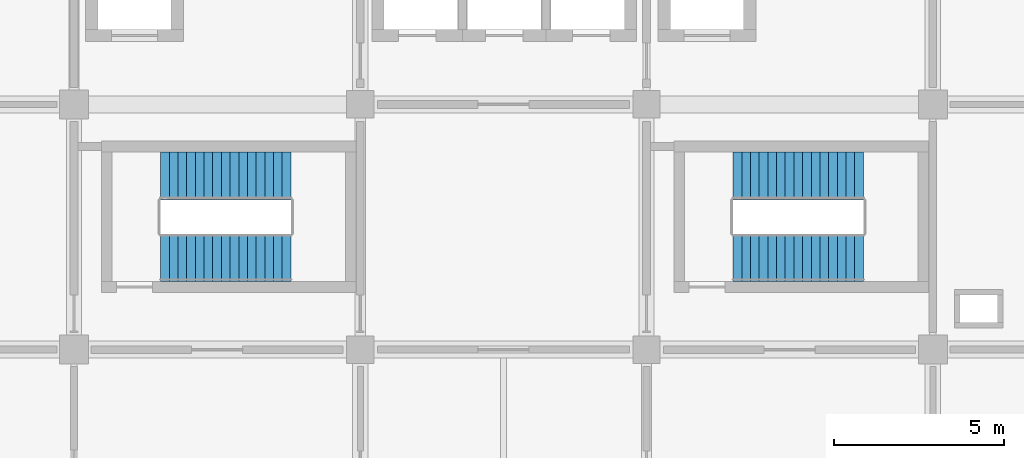
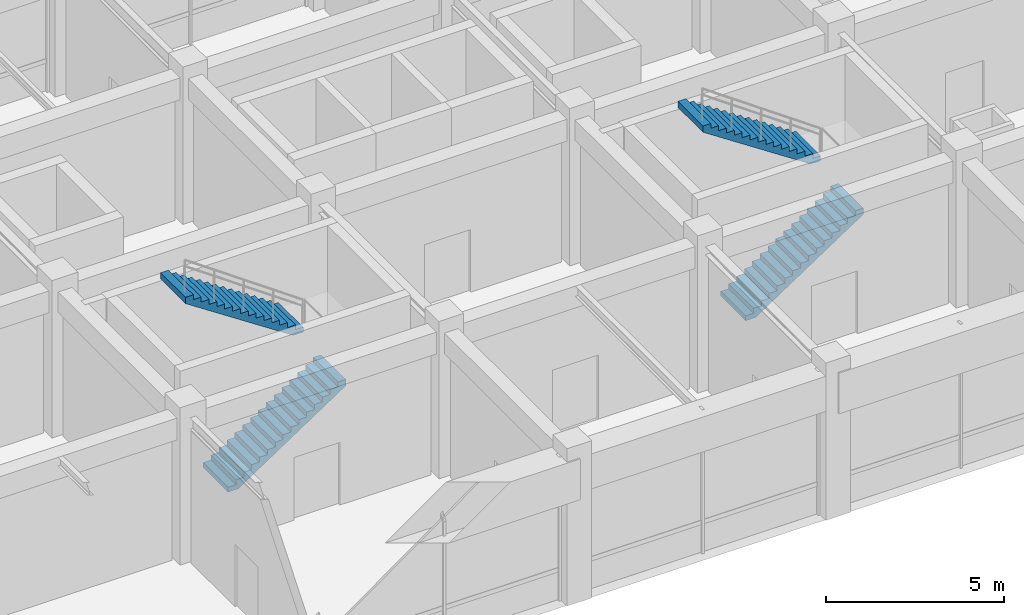
# One storey, part 32 of 38: 4 stair flights, 2 elements without a shape of their own.
"""IFC4 building model written with IfcOpenShell, lengths in metres."""

from ifc_helpers import new_model, si_unit, derived_unit, direction, frame, origin, place, context, subcontext, project, spatial, polyline, outline, extrude, material, type_object, element, aggregate, save


model = new_model("IFC4")

# Units and contexts
model_context = context("Model", 3, precision=1e-05, world=origin(), true_north=direction((0.0, 1.0)))
body_context = subcontext(model_context, "Body", "Model", "MODEL_VIEW")
ifc_project = project(units=[si_unit("LENGTHUNIT", "METRE"), si_unit("AREAUNIT", "SQUARE_METRE"), si_unit("VOLUMEUNIT", "CUBIC_METRE"), si_unit("PLANEANGLEUNIT", "RADIAN"), si_unit("MASSUNIT", "GRAM", prefix="KILO"), derived_unit("THERMALTRANSMITTANCEUNIT", [(si_unit("MASSUNIT", "GRAM", prefix="KILO"), 1), (si_unit("TIMEUNIT", "SECOND"), -3), (si_unit("THERMODYNAMICTEMPERATUREUNIT", "KELVIN"), -1)])], contexts=[model_context])

# Site, building, storey
site_placement = place(None, origin())
site = spatial("IfcSite", under=ifc_project, at=site_placement, CompositionType="ELEMENT")
building_placement = place(site_placement, origin())
building = spatial("IfcBuilding", under=site, at=building_placement, Name="Veldstrom Oceanarium and Marine Research Institute", CompositionType="ELEMENT")
storey_placement = place(building_placement, frame((0.0, 0.0, 16.800048828125)))
storey = spatial("IfcBuildingStorey", under=building, at=storey_placement, Name="L03", CompositionType="ELEMENT", Elevation=16.800048828125)

# Stair, stair flights
ifc_material_1 = material(Name="Concrete C40/50", Category="concrete")
stair_type = type_object("IfcStairType", Name="ARC-STR-ST-540", PredefinedType="TWO_STRAIGHT_RUN_STAIR", material=ifc_material_1)
stair_1_placement = place(storey_placement, origin())
stair_1 = element("IfcStair", 1, at=stair_1_placement, inside=storey, type_object=stair_type, Name="Dog-Leg Escape Stair ST1-L03", PredefinedType="TWO_STRAIGHT_RUN_STAIR")
ifc_material_2 = material(Name="Concrete C40/50", Category="concrete")
stair_flight_type = type_object("IfcStairFlightType", Name="ARC-STF-ST-540", PredefinedType="STRAIGHT", material=ifc_material_2)
stair_flight_1_placement = place(storey_placement, frame((78.139892578125, 53.10009765625, 0.0), z_axis=(0.0, 0.0, 1.0), x_axis=(1.0, 0.0, 0.0)))
stair_flight_1 = element("IfcStairFlight", 2, at=stair_flight_1_placement, type_object=stair_flight_type, Name="Stair Flight ST1-L03-1", NumberOfRisers=16, NumberOfTreads=15, PredefinedType="STRAIGHT", RiserHeight=0.16875, TreadLength=0.255, context=body_context, shape_type="SweptSolid", body=[
    extrude(outline(polyline([(0.0, 0.0), (0.0, 0.168701171875), (0.2548828125, 0.168701171875), (0.2548828125, 0.33740234375), (0.510009765625, 0.33740234375), (0.510009765625, 0.50634765625), (0.764892578125, 0.50634765625), (0.764892578125, 0.675048828125), (1.02001953125, 0.675048828125), (1.02001953125, 0.84375), (1.27490234375, 0.84375), (1.27490234375, 1.012451171875), (1.530029296875, 1.012451171875), (1.530029296875, 1.18115234375), (1.784912109375, 1.18115234375), (1.784912109375, 1.35009765625), (2.0400390625, 1.35009765625), (2.0400390625, 1.518798828125), (2.294921875, 1.518798828125), (2.294921875, 1.6875), (2.550048828125, 1.6875), (2.550048828125, 1.856201171875), (2.804931640625, 1.856201171875), (2.804931640625, 2.02490234375), (3.06005859375, 2.02490234375), (3.06005859375, 2.19384765625), (3.31494140625, 2.19384765625), (3.31494140625, 2.362548828125), (3.570068359375, 2.362548828125), (3.570068359375, 2.53125), (3.824951171875, 2.53125), (3.824951171875, 2.699951171875), (3.824951171875, 2.3154296875), (0.325927734375, 0.0), (0.0, 0.0)])), frame((0.0, 0.699951171875, 0.0), z_axis=(0.0, -1.0, 0.0), x_axis=(1.0, 0.0, 0.0)), (0.0, 0.0, 1.0), 1.39990234375),
])
stair_flight_2_placement = place(storey_placement, frame((81.965087890625, 55.5, 2.699951171875), z_axis=(0.0, 0.0, 1.0), x_axis=(-1.0, 0.0, 0.0)))
stair_flight_2 = element("IfcStairFlight", 3, at=stair_flight_2_placement, type_object=stair_flight_type, Name="Stair Flight ST1-L03-2", NumberOfRisers=16, NumberOfTreads=15, PredefinedType="STRAIGHT", RiserHeight=0.16875, TreadLength=0.255, context=body_context, shape_type="SweptSolid", body=[
    extrude(outline(polyline([(0.0, 0.0), (0.0, 0.168701171875), (0.2548828125, 0.168701171875), (0.2548828125, 0.33740234375), (0.510009765625, 0.33740234375), (0.510009765625, 0.50634765625), (0.764892578125, 0.50634765625), (0.764892578125, 0.675048828125), (1.02001953125, 0.675048828125), (1.02001953125, 0.84375), (1.27490234375, 0.84375), (1.27490234375, 1.012451171875), (1.530029296875, 1.012451171875), (1.530029296875, 1.18115234375), (1.784912109375, 1.18115234375), (1.784912109375, 1.35009765625), (2.0400390625, 1.35009765625), (2.0400390625, 1.518798828125), (2.294921875, 1.518798828125), (2.294921875, 1.6875), (2.550048828125, 1.6875), (2.550048828125, 1.856201171875), (2.804931640625, 1.856201171875), (2.804931640625, 2.02490234375), (3.06005859375, 2.02490234375), (3.06005859375, 2.19384765625), (3.31494140625, 2.19384765625), (3.31494140625, 2.362548828125), (3.570068359375, 2.362548828125), (3.570068359375, 2.53125), (3.824951171875, 2.53125), (3.824951171875, 2.699951171875), (3.824951171875, 2.3154296875), (0.325927734375, 0.0), (0.0, 0.0)])), frame((0.0, 0.699951171875, 0.0), z_axis=(0.0, -1.0, 0.0), x_axis=(1.0, 0.0, 0.0)), (0.0, 0.0, 1.0), 1.39990234375),
])
aggregate(stair_1, [stair_flight_1, stair_flight_2])

stair_2_placement = place(storey_placement, origin())
stair_2 = element("IfcStair", 4, at=stair_2_placement, inside=storey, type_object=stair_type, Name="Dog-Leg Escape Stair ST2-L03", PredefinedType="TWO_STRAIGHT_RUN_STAIR")
stair_flight_3_placement = place(storey_placement, frame((94.93994140625, 53.10009765625, 0.0), z_axis=(0.0, 0.0, 1.0), x_axis=(1.0, 0.0, 0.0)))
stair_flight_3 = element("IfcStairFlight", 5, at=stair_flight_3_placement, type_object=stair_flight_type, Name="Stair Flight ST2-L03-1", NumberOfRisers=16, NumberOfTreads=15, PredefinedType="STRAIGHT", RiserHeight=0.16875, TreadLength=0.255, context=body_context, shape_type="SweptSolid", body=[
    extrude(outline(polyline([(0.0, 0.0), (0.0, 0.168701171875), (0.2548828125, 0.168701171875), (0.2548828125, 0.33740234375), (0.510009765625, 0.33740234375), (0.510009765625, 0.50634765625), (0.764892578125, 0.50634765625), (0.764892578125, 0.675048828125), (1.02001953125, 0.675048828125), (1.02001953125, 0.84375), (1.27490234375, 0.84375), (1.27490234375, 1.012451171875), (1.530029296875, 1.012451171875), (1.530029296875, 1.18115234375), (1.784912109375, 1.18115234375), (1.784912109375, 1.35009765625), (2.0400390625, 1.35009765625), (2.0400390625, 1.518798828125), (2.294921875, 1.518798828125), (2.294921875, 1.6875), (2.550048828125, 1.6875), (2.550048828125, 1.856201171875), (2.804931640625, 1.856201171875), (2.804931640625, 2.02490234375), (3.06005859375, 2.02490234375), (3.06005859375, 2.19384765625), (3.31494140625, 2.19384765625), (3.31494140625, 2.362548828125), (3.570068359375, 2.362548828125), (3.570068359375, 2.53125), (3.824951171875, 2.53125), (3.824951171875, 2.699951171875), (3.824951171875, 2.3154296875), (0.325927734375, 0.0), (0.0, 0.0)])), frame((0.0, 0.699951171875, 0.0), z_axis=(0.0, -1.0, 0.0), x_axis=(1.0, 0.0, 0.0)), (0.0, 0.0, 1.0), 1.39990234375),
])
stair_flight_4_placement = place(storey_placement, frame((98.764892578125, 55.5, 2.699951171875), z_axis=(0.0, 0.0, 1.0), x_axis=(-1.0, 0.0, 0.0)))
stair_flight_4 = element("IfcStairFlight", 6, at=stair_flight_4_placement, type_object=stair_flight_type, Name="Stair Flight ST2-L03-2", NumberOfRisers=16, NumberOfTreads=15, PredefinedType="STRAIGHT", RiserHeight=0.16875, TreadLength=0.255, context=body_context, shape_type="SweptSolid", body=[
    extrude(outline(polyline([(0.0, 0.0), (0.0, 0.168701171875), (0.2548828125, 0.168701171875), (0.2548828125, 0.33740234375), (0.510009765625, 0.33740234375), (0.510009765625, 0.50634765625), (0.764892578125, 0.50634765625), (0.764892578125, 0.675048828125), (1.02001953125, 0.675048828125), (1.02001953125, 0.84375), (1.27490234375, 0.84375), (1.27490234375, 1.012451171875), (1.530029296875, 1.012451171875), (1.530029296875, 1.18115234375), (1.784912109375, 1.18115234375), (1.784912109375, 1.35009765625), (2.0400390625, 1.35009765625), (2.0400390625, 1.518798828125), (2.294921875, 1.518798828125), (2.294921875, 1.6875), (2.550048828125, 1.6875), (2.550048828125, 1.856201171875), (2.804931640625, 1.856201171875), (2.804931640625, 2.02490234375), (3.06005859375, 2.02490234375), (3.06005859375, 2.19384765625), (3.31494140625, 2.19384765625), (3.31494140625, 2.362548828125), (3.570068359375, 2.362548828125), (3.570068359375, 2.53125), (3.824951171875, 2.53125), (3.824951171875, 2.699951171875), (3.824951171875, 2.3154296875), (0.325927734375, 0.0), (0.0, 0.0)])), frame((0.0, 0.699951171875, 0.0), z_axis=(0.0, -1.0, 0.0), x_axis=(1.0, 0.0, 0.0)), (0.0, 0.0, 1.0), 1.39990234375),
])
aggregate(stair_2, [stair_flight_3, stair_flight_4])

save(model, "model.ifc")
